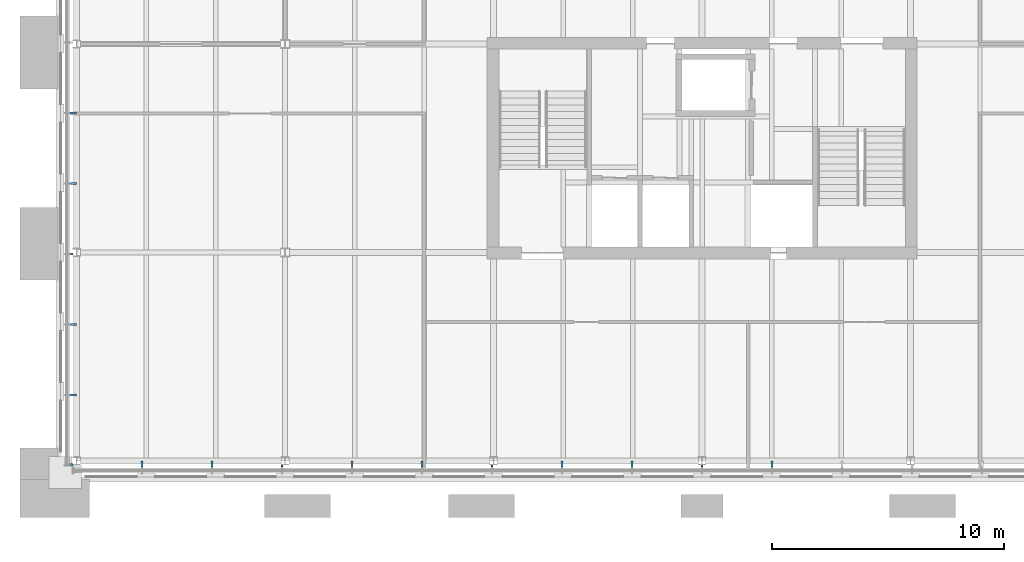
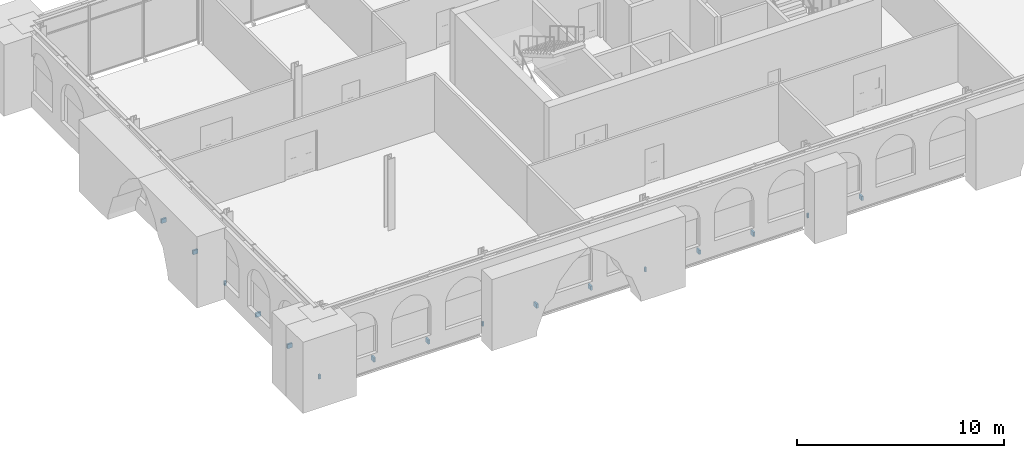
# One storey, part 16 of 22: 16 discrete accessories.
"""IFC4 building model written with IfcOpenShell, lengths in metres."""

from ifc_helpers import new_model, si_unit, direction, frame, origin, origin_2d, place, context, subcontext, project, spatial, rectangle, extrude, material, type_object, element, save


model = new_model("IFC4")

# Units and contexts
model_context = context("Model", 3, precision=1e-05, world=origin(), true_north=direction((0.0, 1.0)))
body_context = subcontext(model_context, "Body", "Model", "MODEL_VIEW")
ifc_project = project(units=[si_unit("LENGTHUNIT", "METRE"), si_unit("AREAUNIT", "SQUARE_METRE"), si_unit("VOLUMEUNIT", "CUBIC_METRE"), si_unit("PLANEANGLEUNIT", "RADIAN"), si_unit("MASSUNIT", "GRAM", prefix="KILO")], contexts=[model_context])

# Site, building, storey
site_placement = place(None, origin())
site = spatial("IfcSite", under=ifc_project, at=site_placement, CompositionType="ELEMENT")
building_placement = place(site_placement, origin())
building = spatial("IfcBuilding", under=site, at=building_placement, Name="Baradari Gate Terminus", CompositionType="ELEMENT")
storey_placement = place(building_placement, frame((0.0, 0.0, 28.5)))
storey = spatial("IfcBuildingStorey", under=building, at=storey_placement, Name="L06", CompositionType="ELEMENT", Elevation=28.5)

# Discrete accessories
ifc_material = material(Name="Aluminium 6063-T6", Category="aluminium")
discrete_accessory_type = type_object("IfcDiscreteAccessoryType", Name="Curtain wall bracket BK-1 100x250", PredefinedType="BRACKET", material=ifc_material)
for number, where, z_axis, x_axis, name in (
    (1, (11.822265625, 116.864990234375, -0.1298828125), (0.0, 0.0, 1.0), (0.0, -1.0, 0.0), "Curtain wall bracket L06/TS mullion 2"),
    (2, (14.844482421875, 116.864990234375, -0.1298828125), (0.0, 0.0, 1.0), (0.0, -1.0, 0.0), "Curtain wall bracket L06/TS mullion 3"),
):
    element("IfcDiscreteAccessory", number, at=place(storey_placement, frame(where, z_axis=z_axis, x_axis=x_axis)), inside=storey, type_object=discrete_accessory_type, Name=name, PredefinedType="BRACKET", context=body_context, shape_type="SweptSolid", body=[
        extrude(rectangle(XDim=0.27001953125, YDim=0.10009765625, at=origin_2d()), origin(), (0.0, 0.0, 1.0), 0.25),
    ])
discrete_accessory_1_placement = place(storey_placement, frame((17.86669921875, 116.780029296875, -0.1298828125), z_axis=(0.0, 0.0, 1.0), x_axis=(0.0, -1.0, 0.0)))
element("IfcDiscreteAccessory", 3, at=discrete_accessory_1_placement, inside=storey, type_object=discrete_accessory_type, Name="Curtain wall bracket L06/TS mullion 4", PredefinedType="BRACKET", context=body_context, shape_type="SweptSolid", body=[
    extrude(rectangle(XDim=0.10009765625, YDim=0.10009765625, at=origin_2d()), origin(), (0.0, 0.0, 1.0), 0.25),
])
for number, where, z_axis, x_axis, name in (
    (4, (20.888916015625, 116.864990234375, -0.1298828125), (0.0, 0.0, 1.0), (0.0, -1.0, 0.0), "Curtain wall bracket L06/TS mullion 5"),
    (5, (23.9111328125, 116.864990234375, -0.1298828125), (0.0, 0.0, 1.0), (0.0, -1.0, 0.0), "Curtain wall bracket L06/TS mullion 6"),
):
    element("IfcDiscreteAccessory", number, at=place(storey_placement, frame(where, z_axis=z_axis, x_axis=x_axis)), inside=storey, type_object=discrete_accessory_type, Name=name, PredefinedType="BRACKET", context=body_context, shape_type="SweptSolid", body=[
        extrude(rectangle(XDim=0.27001953125, YDim=0.10009765625, at=origin_2d()), origin(), (0.0, 0.0, 1.0), 0.25),
    ])
discrete_accessory_2_placement = place(storey_placement, frame((26.933349609375, 116.780029296875, -0.10009765625), z_axis=(0.0, 0.0, 1.0), x_axis=(0.0, -1.0, 0.0)))
element("IfcDiscreteAccessory", 6, at=discrete_accessory_2_placement, inside=storey, type_object=discrete_accessory_type, Name="Curtain wall bracket L06/TS mullion 7", PredefinedType="BRACKET", context=body_context, shape_type="SweptSolid", body=[
    extrude(rectangle(XDim=0.10009765625, YDim=0.10009765625, at=origin_2d()), origin(), (0.0, 0.0, 1.0), 0.25),
])
for number, where, z_axis, x_axis, name in (
    (7, (29.95556640625, 116.864990234375, -0.1298828125), (0.0, 0.0, 1.0), (0.0, -1.0, 0.0), "Curtain wall bracket L06/TS mullion 8"),
    (8, (32.977783203125, 116.864990234375, -0.1298828125), (0.0, 0.0, 1.0), (0.0, -1.0, 0.0), "Curtain wall bracket L06/TS mullion 9"),
):
    element("IfcDiscreteAccessory", number, at=place(storey_placement, frame(where, z_axis=z_axis, x_axis=x_axis)), inside=storey, type_object=discrete_accessory_type, Name=name, PredefinedType="BRACKET", context=body_context, shape_type="SweptSolid", body=[
        extrude(rectangle(XDim=0.27001953125, YDim=0.10009765625, at=origin_2d()), origin(), (0.0, 0.0, 1.0), 0.25),
    ])
discrete_accessory_3_placement = place(storey_placement, frame((36.0, 116.780029296875, -0.10009765625), z_axis=(0.0, 0.0, 1.0), x_axis=(0.0, -1.0, 0.0)))
element("IfcDiscreteAccessory", 9, at=discrete_accessory_3_placement, inside=storey, type_object=discrete_accessory_type, Name="Curtain wall bracket L06/TS mullion 10", PredefinedType="BRACKET", context=body_context, shape_type="SweptSolid", body=[
    extrude(rectangle(XDim=0.10009765625, YDim=0.10009765625, at=origin_2d()), origin(), (0.0, 0.0, 1.0), 0.25),
])
for number, where, z_axis, x_axis, name in (
    (10, (39.022216796875, 116.864990234375, -0.1298828125), (0.0, 0.0, 1.0), (0.0, -1.0, 0.0), "Curtain wall bracket L06/TS mullion 11"),
    (11, (8.864990234375, 132.022216796875, -0.1298828125), (0.0, 0.0, 1.0), (-1.0, 0.0, 0.0), "Curtain wall bracket L06/TW mullion 5"),
    (12, (8.864990234375, 128.977783203125, -0.1298828125), (0.0, 0.0, 1.0), (-1.0, 0.0, 0.0), "Curtain wall bracket L06/TW mullion 6"),
):
    element("IfcDiscreteAccessory", number, at=place(storey_placement, frame(where, z_axis=z_axis, x_axis=x_axis)), inside=storey, type_object=discrete_accessory_type, Name=name, PredefinedType="BRACKET", context=body_context, shape_type="SweptSolid", body=[
        extrude(rectangle(XDim=0.27001953125, YDim=0.10009765625, at=origin_2d()), origin(), (0.0, 0.0, 1.0), 0.25),
    ])
discrete_accessory_4_placement = place(storey_placement, frame((8.786376953125, 125.933349609375, -0.10009765625), z_axis=(0.0, 0.0, 1.0), x_axis=(-1.0, 0.0, 0.0)))
element("IfcDiscreteAccessory", 13, at=discrete_accessory_4_placement, inside=storey, type_object=discrete_accessory_type, Name="Curtain wall bracket L06/TW mullion 7", PredefinedType="BRACKET", context=body_context, shape_type="SweptSolid", body=[
    extrude(rectangle(XDim=0.11279296875, YDim=0.10009765625, at=origin_2d()), origin(), (0.0, 0.0, 1.0), 0.25),
])
for number, where, z_axis, x_axis, name in (
    (14, (8.864990234375, 122.888916015625, -0.1298828125), (0.0, 0.0, 1.0), (-1.0, 0.0, 0.0), "Curtain wall bracket L06/TW mullion 8"),
    (15, (8.864990234375, 119.844482421875, -0.1298828125), (0.0, 0.0, 1.0), (-1.0, 0.0, 0.0), "Curtain wall bracket L06/TW mullion 9"),
):
    element("IfcDiscreteAccessory", number, at=place(storey_placement, frame(where, z_axis=z_axis, x_axis=x_axis)), inside=storey, type_object=discrete_accessory_type, Name=name, PredefinedType="BRACKET", context=body_context, shape_type="SweptSolid", body=[
        extrude(rectangle(XDim=0.27001953125, YDim=0.10009765625, at=origin_2d()), origin(), (0.0, 0.0, 1.0), 0.25),
    ])
discrete_accessory_5_placement = place(storey_placement, frame((8.786376953125, 116.83251953125, -0.10009765625), z_axis=(0.0, 0.0, 1.0), x_axis=(-1.0, 0.0, 0.0)))
element("IfcDiscreteAccessory", 16, at=discrete_accessory_5_placement, inside=storey, type_object=discrete_accessory_type, Name="Curtain wall bracket L06/TW mullion 10", PredefinedType="BRACKET", context=body_context, shape_type="SweptSolid", body=[
    extrude(rectangle(XDim=0.11279296875, YDim=0.10009765625, at=origin_2d()), origin(), (0.0, 0.0, 1.0), 0.25),
])

save(model, "model.ifc")
